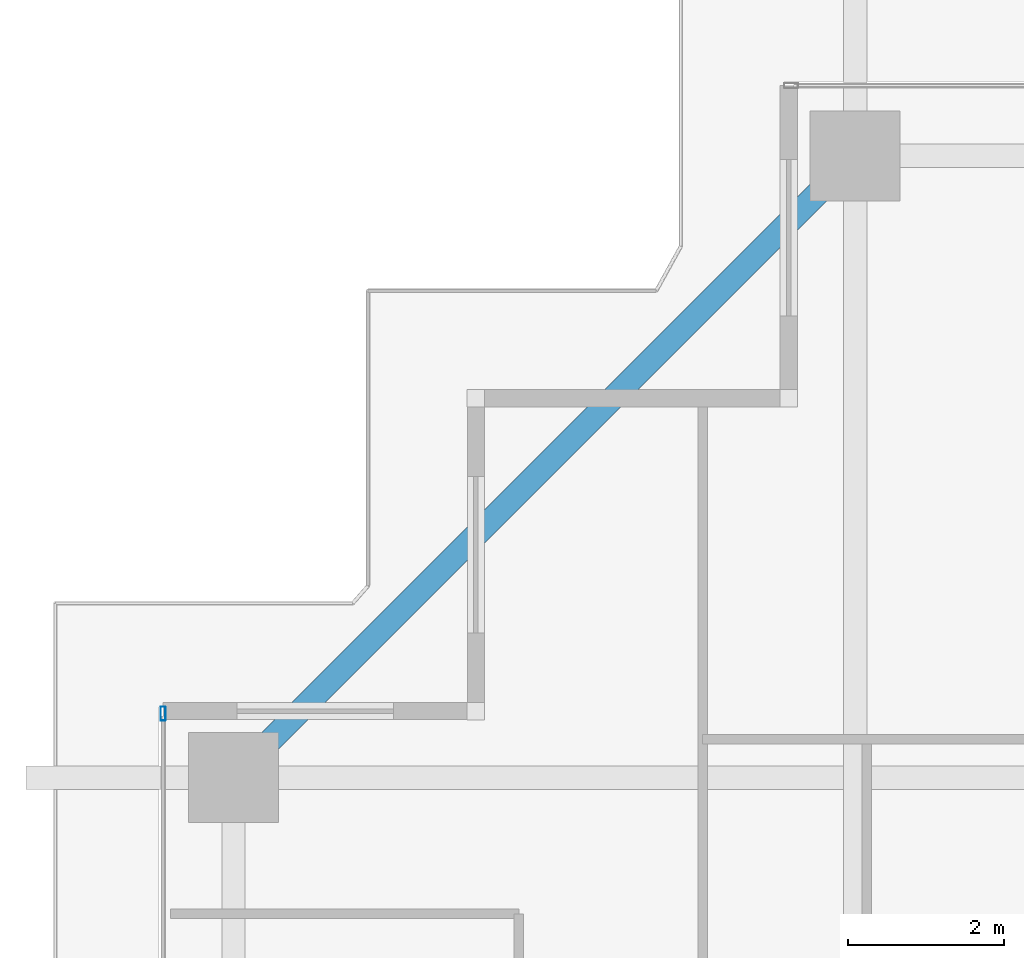
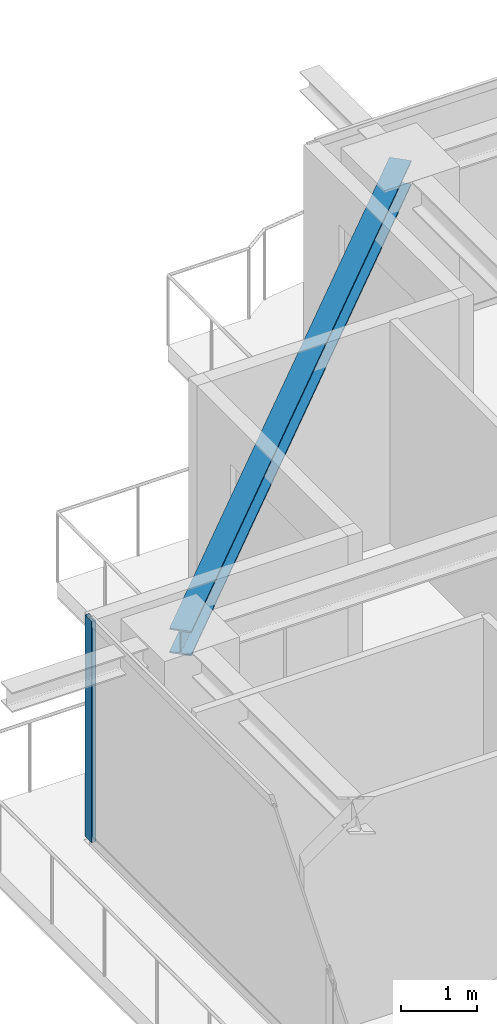
# One storey, part 18 of 37: 1 beam, 1 member, 1 element without a shape of its own.
"""IFC4 building model written with IfcOpenShell, lengths in metres."""

from ifc_helpers import new_model, si_unit, direction, frame, origin, origin_2d, place, context, subcontext, project, spatial, hollow_rectangle, i_section, extrude, source, transform, mapped, material, layer, layer_set, material_profile, profile_set, type_object, element, aggregate, save


model = new_model("IFC4")

# Units and contexts
model_context = context("Model", 3, precision=1e-05, world=origin(), true_north=direction((0.0, 1.0)))
body_context = subcontext(model_context, "Body", "Model", "MODEL_VIEW")
ifc_project = project(units=[si_unit("LENGTHUNIT", "METRE"), si_unit("AREAUNIT", "SQUARE_METRE"), si_unit("VOLUMEUNIT", "CUBIC_METRE"), si_unit("PLANEANGLEUNIT", "RADIAN"), si_unit("MASSUNIT", "GRAM", prefix="KILO")], contexts=[model_context])

# Site, building, storey
site_placement = place(None, origin())
site = spatial("IfcSite", under=ifc_project, at=site_placement, CompositionType="ELEMENT")
building_placement = place(site_placement, origin())
building = spatial("IfcBuilding", under=site, at=building_placement, Name="Serunith Strait Residences", CompositionType="ELEMENT")
storey_placement = place(building_placement, frame((0.0, 0.0, 248.949951171875)))
storey = spatial("IfcBuildingStorey", under=building, at=storey_placement, Name="L62", CompositionType="ELEMENT", Elevation=248.949951171875)

# Beam
ifc_material_1 = material(Name="Steel S355J2", Category="steel")
ifc_material_profile_1 = material_profile(ifc_material_1, i_section(OverallWidth=0.300048828125, OverallDepth=0.39990234375, WebThickness=0.013427734375, FlangeThickness=0.02392578125, FilletRadius=0.027099609375, at=origin_2d()), Name="HEB 400")
ifc_profile_set_1 = profile_set([ifc_material_profile_1], Name="Steel S355J2")
beam_type = type_object("IfcBeamType", Name="BM-HEB400", PredefinedType="BEAM", material=ifc_profile_set_1)
shared_shape_1 = source(origin(), body_context, "Body", "SweptSolid", [
    extrude(i_section(OverallWidth=0.300048828125, OverallDepth=0.39990234375, WebThickness=0.013427734375, FlangeThickness=0.02392578125, FilletRadius=0.027099609375, at=origin_2d()), origin(), (0.0, 0.0, 1.0), 11.242919921875),
])
beam_placement = place(storey_placement, frame((16.25, 48.300048828125, 3.35693359375), z_axis=(-0.707106781187, -0.707106781187, 0.0), x_axis=(0.707106781187, -0.707106781187, 0.0)))
element("IfcBeam", 1, at=beam_placement, inside=storey, type_object=beam_type, Name="L62 Perimeter Ring Beam 12", PredefinedType="BEAM", context=body_context, shape_type="MappedRepresentation", body=[
    mapped(shared_shape_1, transform((0.0, 0.0, 0.0), scale=1.0)),
])

# Curtain wall, member
ifc_material_2 = material(Name="Pale-Champagne Anodised Aluminium", Category="aluminium")
ifc_layer = layer(ifc_material_2, 0.199951171875, Name="Pale-Champagne Anodised Aluminium")
ifc_layer_set = layer_set([ifc_layer], Name="Pale-Champagne Anodised Aluminium")
curtain_wall_type = type_object("IfcCurtainWallType", Name="CW-SYS4", PredefinedType="NOTDEFINED", material=ifc_layer_set)
curtain_wall_placement = place(storey_placement, origin())
curtain_wall = element("IfcCurtainWall", 2, at=curtain_wall_placement, inside=storey, type_object=curtain_wall_type, Name="L62 W Unitised Fritted Curtain Wall", PredefinedType="NOTDEFINED")
ifc_material_profile_2 = material_profile(ifc_material_2, hollow_rectangle(XDim=0.06494140625, YDim=0.179931640625, WallThickness=0.00341796875, InnerFilletRadius=0.00537109375, OuterFilletRadius=0.0087890625, at=origin_2d()), Name="ALU 180x65x3.5")
ifc_profile_set_2 = profile_set([ifc_material_profile_2], Name="Pale-Champagne Anodised Aluminium")
member_type = type_object("IfcMemberType", Name="CW-SYS4-MULL", PredefinedType="MULLION", material=ifc_profile_set_2)
shared_shape_2 = source(origin(), body_context, "Body", "SweptSolid", [
    extrude(hollow_rectangle(XDim=0.06494140625, YDim=0.179931640625, WallThickness=0.00341796875, InnerFilletRadius=0.00537109375, OuterFilletRadius=0.0087890625, at=origin_2d()), origin(), (0.0, 0.0, 1.0), 3.574951171875),
])
member_placement = place(storey_placement, frame((7.39990234375, 41.16748046875, 0.0), z_axis=(0.0, 0.0, 1.0), x_axis=(1.0, 0.0, 0.0)))
member = element("IfcMember", 3, at=member_placement, type_object=member_type, Name="CW-4 mullion 1", PredefinedType="MULLION", context=body_context, shape_type="MappedRepresentation", body=[
    mapped(shared_shape_2, transform((0.0, 0.0, 0.0), scale=1.0)),
])
aggregate(curtain_wall, [member])

save(model, "model.ifc")
